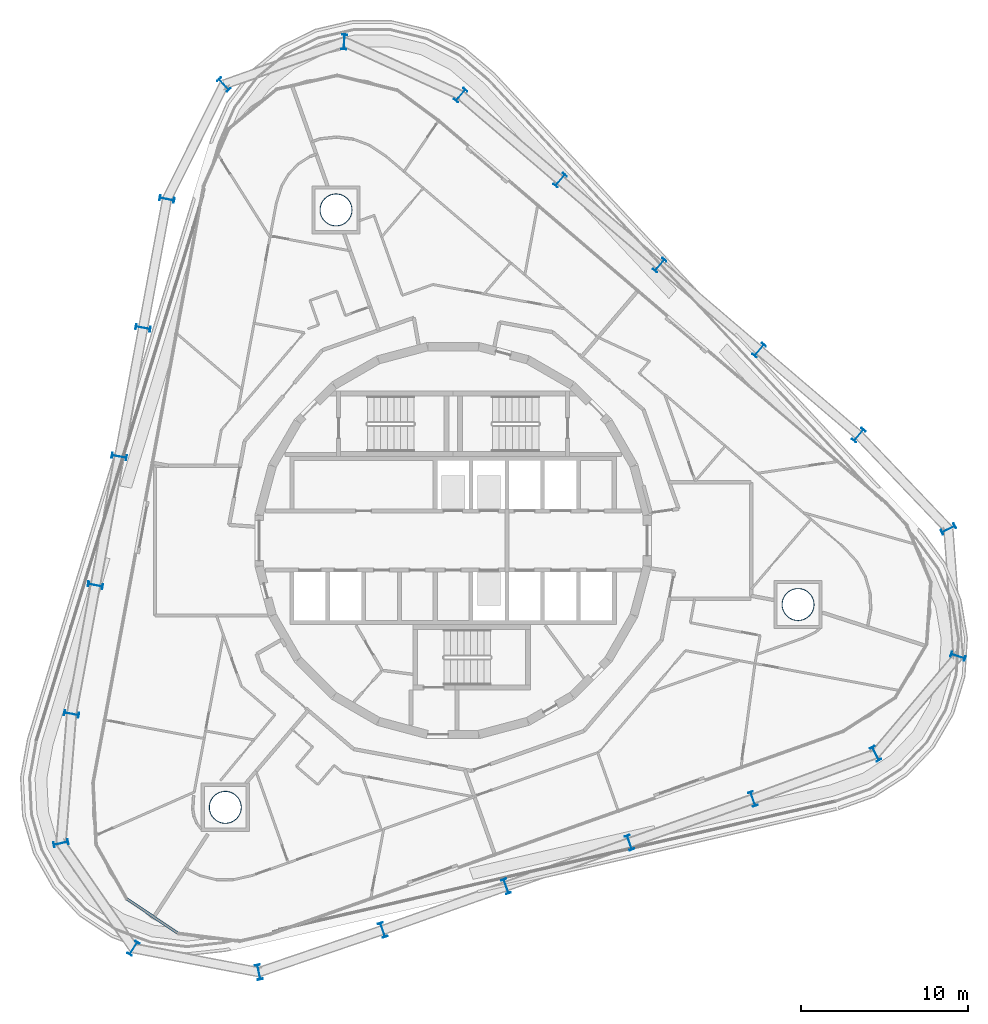
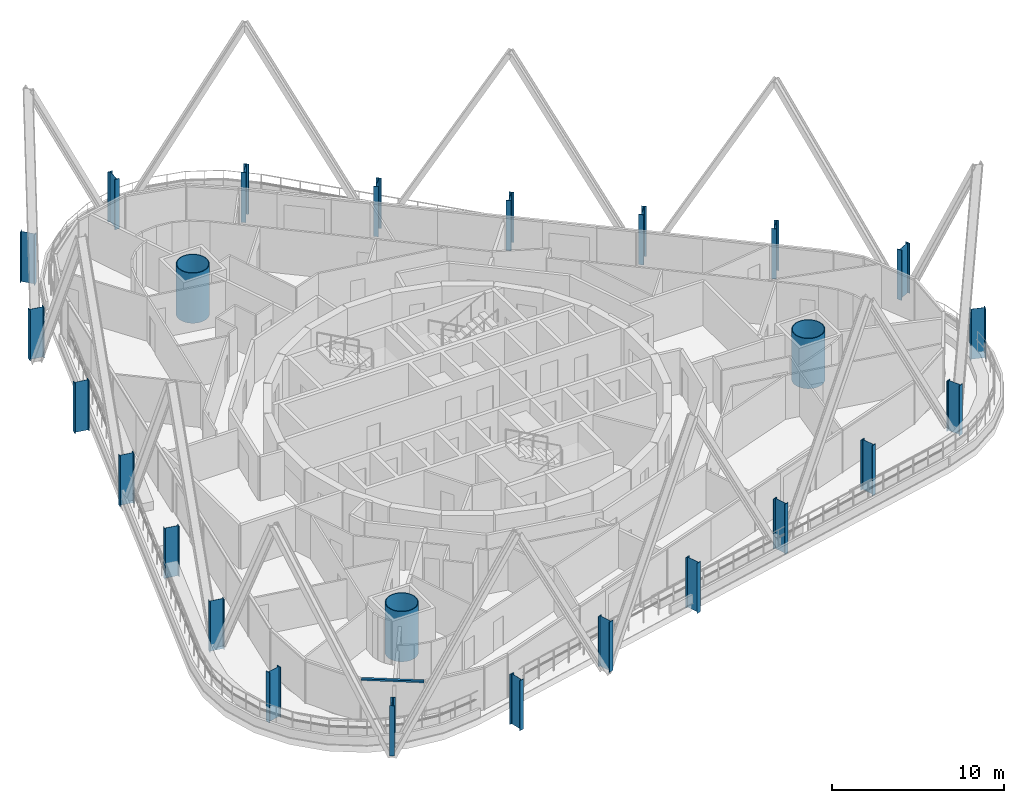
# One storey, part 1 of 25: 25 columns, 1 member, 1 element without a shape of its own.
"""IFC4 building model written with IfcOpenShell, lengths in metres."""

from ifc_helpers import new_model, si_unit, direction, frame, origin, origin_2d, place, context, subcontext, project, spatial, rectangle, hollow_circle, i_section, extrude, material, layer, layer_set, material_profile, profile_set, type_object, element, aggregate, save


model = new_model("IFC4")

# Units and contexts
model_context = context("Model", 3, precision=1e-05, world=origin(), true_north=direction((0.0, 1.0)))
body_context = subcontext(model_context, "Body", "Model", "MODEL_VIEW")
ifc_project = project(units=[si_unit("LENGTHUNIT", "METRE"), si_unit("AREAUNIT", "SQUARE_METRE"), si_unit("VOLUMEUNIT", "CUBIC_METRE"), si_unit("PLANEANGLEUNIT", "RADIAN"), si_unit("MASSUNIT", "GRAM", prefix="KILO")], contexts=[model_context])

# Site, building, storey
site_placement = place(None, origin())
site = spatial("IfcSite", under=ifc_project, at=site_placement, CompositionType="ELEMENT")
building_placement = place(site_placement, origin())
building = spatial("IfcBuilding", under=site, at=building_placement, Name="Spindle Arch Residences", CompositionType="ELEMENT")
storey_placement = place(building_placement, frame((0.0, 0.0, 151.699951171875)))
storey = spatial("IfcBuildingStorey", under=building, at=storey_placement, Name="L37", CompositionType="ELEMENT", Elevation=151.699951171875)

# Columns
ifc_material_1 = material(Name="Steel S460ML, intumescent coating R 240", Category="steel")
ifc_material_profile_1 = material_profile(ifc_material_1, i_section(OverallWidth=0.300048828125, OverallDepth=0.89990234375, WebThickness=0.0185546875, FlangeThickness=0.034912109375, FilletRadius=0.030029296875, at=origin_2d()), Name="HEB 900")
ifc_profile_set_1 = profile_set([ifc_material_profile_1], Name="Steel S460ML, intumescent coating R 240")
column_type_1 = type_object("IfcColumnType", Name="Exoskeleton post HEB 900", PredefinedType="COLUMN", material=ifc_profile_set_1)
for number, where, z_axis, x_axis, name in (
    (1, (10.592041015625, -18.1376953125, -0.449951171875), (0.0, 0.0, 1.0), (-0.942641392079, -0.333807138839, 0.0), "Exoskeleton post 1"),
    (2, (18.001220703125, -15.513916015625, -0.449951171875), (0.0, 0.0, 1.0), (-0.942641392079, -0.333807138839, 0.0), "Exoskeleton post 2"),
    (3, (25.37353515625, -12.79931640625, -0.449951171875), (0.0, 0.0, 1.0), (-0.887176487998, -0.461430253823, 0.0), "Exoskeleton post 3"),
    (4, (30.322509765625, -6.948486328125, -0.449951171875), (0.0, 0.0, 1.0), (-0.307880057726, -0.95142517838, 0.0), "Exoskeleton post 4"),
    (5, (29.739501953125, 0.6923828125, -0.449951171875), (0.0, 0.0, 1.0), (0.448657012727, -0.893704025352, 0.0), "Exoskeleton post 5"),
    (6, (24.357666015625, 6.330810546875, -0.449951171875), (0.0, 0.0, 1.0), (0.76040600398, -0.649448003393, 0.0), "Exoskeleton post 6"),
    (7, (18.380615234375, 11.435546875, -0.449951171875), (0.0, 0.0, 1.0), (0.76040600398, -0.649448003393, 0.0), "Exoskeleton post 7"),
    (8, (12.40380859375, 16.540283203125, -0.449951171875), (0.0, 0.0, 1.0), (0.76040600398, -0.649448003393, 0.0), "Exoskeleton post 8"),
    (9, (6.427001953125, 21.64501953125, -0.449951171875), (0.0, 0.0, 1.0), (0.76040600398, -0.649448003393, 0.0), "Exoskeleton post 9"),
    (10, (0.4501953125, 26.74951171875, -0.449951171875), (0.0, 0.0, 1.0), (0.76040600398, -0.649448003393, 0.0), "Exoskeleton post 10"),
    (11, (-6.53955078125, 29.945556640625, -0.449951171875), (0.0, 0.0, 1.0), (0.998810817099, -0.048753991075, 0.0), "Exoskeleton post 11"),
    (12, (-13.76318359375, 27.387451171875, -0.449951171875), (0.0, 0.0, 1.0), (0.745539941806, 0.666460947972, 0.0), "Exoskeleton post 12"),
    (13, (-17.183837890625, 20.505126953125, -0.449951171875), (0.0, 0.0, 1.0), (0.182235967681, 0.983254825609, 0.0), "Exoskeleton post 13"),
    (14, (-18.6162109375, 12.776611328125, -0.449951171875), (0.0, 0.0, 1.0), (0.182235967681, 0.983254825609, 0.0), "Exoskeleton post 14"),
    (15, (-20.048583984375, 5.048095703125, -0.449951171875), (0.0, 0.0, 1.0), (0.182235967681, 0.983254825609, 0.0), "Exoskeleton post 15"),
    (16, (-21.481201171875, -2.680419921875, -0.449951171875), (0.0, 0.0, 1.0), (0.182235967681, 0.983254825609, 0.0), "Exoskeleton post 16"),
    (17, (-22.91357421875, -10.40869140625, -0.449951171875), (0.0, 0.0, 1.0), (0.182235967681, 0.983254825609, 0.0), "Exoskeleton post 17"),
    (18, (-23.5478515625, -18.177490234375, -0.449951171875), (0.0, 0.0, 1.0), (-0.213754108667, 0.976887496607, 0.0), "Exoskeleton post 18"),
    (19, (-19.192138671875, -24.482666015625, -0.449951171875), (0.0, 0.0, 1.0), (-0.838019022948, 0.545641014933, 0.0), "Exoskeleton post 19"),
    (20, (-11.6640625, -25.9150390625, -0.449951171875), (0.0, 0.0, 1.0), (-0.979853205488, -0.199719041891, 0.0), "Exoskeleton post 20"),
    (21, (-4.226318359375, -23.385009765625, -0.449951171875), (0.0, 0.0, 1.0), (-0.942641392079, -0.333807138839, 0.0), "Exoskeleton post 21"),
    (22, (3.182861328125, -20.76123046875, -0.449951171875), (0.0, 0.0, 1.0), (-0.942641392079, -0.333807138839, 0.0), "Exoskeleton post 22"),
):
    element("IfcColumn", number, at=place(storey_placement, frame(where, z_axis=z_axis, x_axis=x_axis)), inside=storey, type_object=column_type_1, Name=name, PredefinedType="COLUMN", context=body_context, shape_type="SweptSolid", body=[
        extrude(i_section(OverallWidth=0.300048828125, OverallDepth=0.89990234375, WebThickness=0.0185546875, FlangeThickness=0.034912109375, FilletRadius=0.030029296875, at=origin_2d()), origin(), (0.0, 0.0, 1.0), 3.570068359375),
    ])
ifc_material_2 = material(Name="Concrete C50/60 filled steel tube S460ML, intumescent coating R 240", Category="concrete")
ifc_material_profile_2 = material_profile(ifc_material_2, hollow_circle(Radius=0.97509765625, WallThickness=0.044921875, at=origin_2d()), Name="CFT D1950x45")
ifc_profile_set_2 = profile_set([ifc_material_profile_2], Name="Concrete C50/60 filled steel tube S460ML, intumescent coating R 240")
column_type_2 = type_object("IfcColumnType", Name="Mega-column CFT D1950x45", PredefinedType="COLUMN", material=ifc_profile_set_2)
for number, where, z_axis, x_axis, name in (
    (23, (20.713134765625, -3.839111328125, -0.449951171875), (0.0, 0.0, 1.0), (1.0, 0.0, 0.0), "Mega-column 1"),
    (24, (-7.031982421875, 19.857666015625, -0.449951171875), (0.0, 0.0, 1.0), (1.0, 0.0, 0.0), "Mega-column 2"),
    (25, (-13.68115234375, -16.0185546875, -0.449951171875), (0.0, 0.0, 1.0), (1.0, 0.0, 0.0), "Mega-column 3"),
):
    element("IfcColumn", number, at=place(storey_placement, frame(where, z_axis=z_axis, x_axis=x_axis)), inside=storey, type_object=column_type_2, Name=name, PredefinedType="COLUMN", context=body_context, shape_type="SweptSolid", body=[
        extrude(hollow_circle(Radius=0.97509765625, WallThickness=0.044921875, at=origin_2d()), origin(), (0.0, 0.0, 1.0), 3.570068359375),
    ])

# Curtain wall, member
ifc_material_3 = material(Name="Aluminium bronze unitised frame with tinted glass", Category="aluminium")
ifc_layer = layer(ifc_material_3, 0.159912109375)
ifc_layer_set = layer_set([ifc_layer], Name="CW-D corner wall on the fillet arcs")
curtain_wall_type = type_object("IfcCurtainWallType", Name="CW-D corner wall on the fillet arcs", PredefinedType="NOTDEFINED", material=ifc_layer_set)
curtain_wall_placement = place(storey_placement, origin())
curtain_wall = element("IfcCurtainWall", 26, at=curtain_wall_placement, inside=storey, type_object=curtain_wall_type, Name="CW-D L37 run 5", PredefinedType="NOTDEFINED")
ifc_material_4 = material(Name="Aluminium bronze anodised transom", Category="aluminium")
ifc_material_profile_3 = material_profile(ifc_material_4, rectangle(XDim=0.159912109375, YDim=0.1201171875, at=origin_2d()), Name="TR 120x160")
ifc_profile_set_3 = profile_set([ifc_material_profile_3], Name="Aluminium bronze anodised transom")
member_type = type_object("IfcMemberType", Name="Bronze transom 120x160", PredefinedType="USERDEFINED", material=ifc_profile_set_3)
member_placement = place(storey_placement, frame((-19.58154296875, -21.528564453125, 3.06005859375), z_axis=(0.830623700005, -0.556834148549, 0.0), x_axis=(0.556834148549, 0.830623700005, 0.0)))
member = element("IfcMember", 27, at=member_placement, type_object=member_type, Name="CW-D transom 03", ObjectType="TRANSOM", PredefinedType="USERDEFINED", context=body_context, shape_type="SweptSolid", body=[
    extrude(rectangle(XDim=0.159912109375, YDim=0.1201171875, at=origin_2d()), origin(), (0.0, 0.0, 1.0), 3.666748046875),
])
aggregate(curtain_wall, [member])

save(model, "model.ifc")
